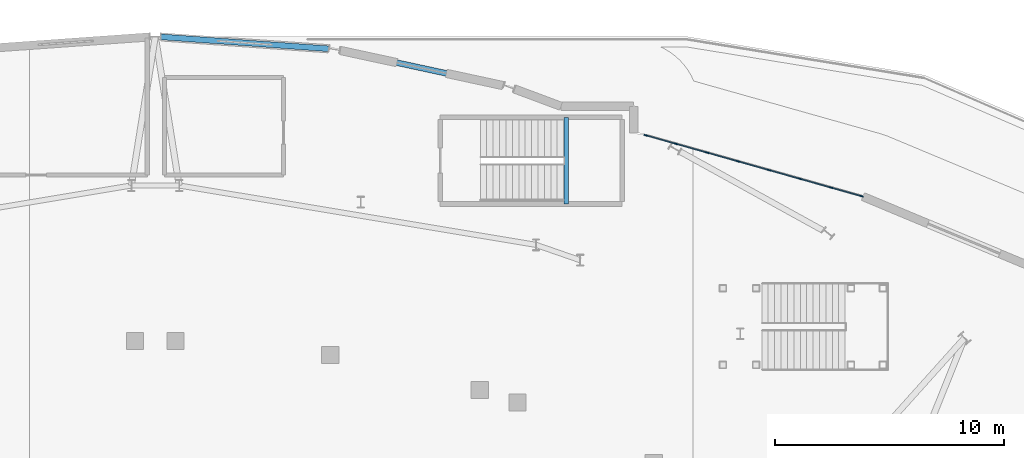
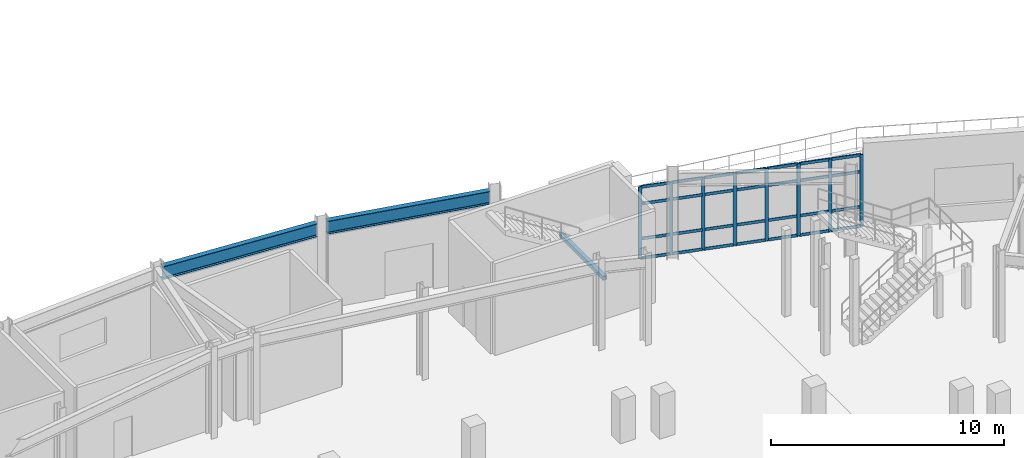
# One storey, part 45 of 84: 36 members, 3 beams, 1 element without a shape of its own.
"""IFC4 building model written with IfcOpenShell, lengths in metres."""

from ifc_helpers import new_model, si_unit, direction, frame, origin, origin_2d, place, context, subcontext, project, spatial, rectangle, hollow_rectangle, i_section, extrude, material, material_profile, profile_set, type_object, element, aggregate, save


model = new_model("IFC4")

# Units and contexts
model_context = context("Model", 3, precision=1e-05, world=origin(), true_north=direction((0.0, 1.0)))
body_context = subcontext(model_context, "Body", "Model", "MODEL_VIEW")
ifc_project = project(units=[si_unit("LENGTHUNIT", "METRE"), si_unit("AREAUNIT", "SQUARE_METRE"), si_unit("VOLUMEUNIT", "CUBIC_METRE"), si_unit("PLANEANGLEUNIT", "RADIAN"), si_unit("MASSUNIT", "GRAM", prefix="KILO")], contexts=[model_context])

# Site, building, storey
site_placement = place(None, origin())
site = spatial("IfcSite", under=ifc_project, at=site_placement, CompositionType="ELEMENT")
building_placement = place(site_placement, origin())
building = spatial("IfcBuilding", under=site, at=building_placement, Name="Glasvene Arena", CompositionType="ELEMENT")
storey_placement = place(building_placement, frame((0.0, 0.0, 10.199951171875)))
storey = spatial("IfcBuildingStorey", under=building, at=storey_placement, Name="L02", CompositionType="ELEMENT", Elevation=10.199951171875)

# Beams
ifc_material_1 = material(Name="Steel S355J2", Category="steel")
ifc_material_profile_1 = material_profile(ifc_material_1, i_section(OverallWidth=0.253662109375, OverallDepth=0.68359375, WebThickness=0.012451171875, FlangeThickness=0.01904296875, FilletRadius=0.01513671875, at=origin_2d()), Name="UKB 686x254x140")
ifc_profile_set_1 = profile_set([ifc_material_profile_1], Name="Steel S355J2")
beam_type_1 = type_object("IfcBeamType", Name="BM-GIRD-686", PredefinedType="BEAM", material=ifc_profile_set_1)
beam_1_placement = place(storey_placement, frame((107.21630859375, 115.84814453125, 4.178466796875), z_axis=(-0.97744150895, 0.211206289161, 0.0), x_axis=(-0.211206289161, -0.97744150895, 0.0)))
element("IfcBeam", 1, at=beam_1_placement, inside=storey, type_object=beam_type_1, Name="Bowl ring chord beam L02-09", PredefinedType="BEAM", context=body_context, shape_type="SweptSolid", body=[
    extrude(i_section(OverallWidth=0.253662109375, OverallDepth=0.68359375, WebThickness=0.012451171875, FlangeThickness=0.01904296875, FilletRadius=0.01513671875, at=origin_2d()), origin(), (0.0, 0.0, 1.0), 7.3251953125),
])
beam_2_placement = place(storey_placement, frame((99.582275390625, 117.462890625, 4.178466796875), z_axis=(-0.997501616337, 0.070643650844, 0.0), x_axis=(-0.070643650844, -0.997501616337, 0.0)))
element("IfcBeam", 2, at=beam_2_placement, inside=storey, type_object=beam_type_1, Name="Bowl ring chord beam L02-10", PredefinedType="BEAM", context=body_context, shape_type="SweptSolid", body=[
    extrude(i_section(OverallWidth=0.253662109375, OverallDepth=0.68359375, WebThickness=0.012451171875, FlangeThickness=0.01904296875, FilletRadius=0.01513671875, at=origin_2d()), origin(), (0.0, 0.0, 1.0), 7.361083984375),
])
ifc_material_profile_2 = material_profile(ifc_material_1, hollow_rectangle(XDim=0.199951171875, YDim=0.199951171875, WallThickness=0.010009765625, at=origin_2d()), Name="SHS 200x200x10.0")
ifc_profile_set_2 = profile_set([ifc_material_profile_2], Name="Steel S355J2")
beam_type_2 = type_object("IfcBeamType", Name="BM-LINTEL-200", PredefinedType="LINTEL", material=ifc_profile_set_2)
beam_3_placement = place(storey_placement, frame((109.9599609375, 110.679931640625, 2.080078125), z_axis=(0.0, 1.0, 0.0), x_axis=(-1.0, 0.0, 0.0)))
element("IfcBeam", 3, at=beam_3_placement, inside=storey, type_object=beam_type_2, Name="Stair half-landing support beam ST-11-L02", PredefinedType="LINTEL", context=body_context, shape_type="SweptSolid", body=[
    extrude(hollow_rectangle(XDim=0.199951171875, YDim=0.199951171875, WallThickness=0.010009765625, at=origin_2d()), origin(), (0.0, 0.0, 1.0), 3.7900390625),
])

# Curtain wall, members
ifc_material_2 = material(Name="Low-emissivity laminated double glazing", Category="glass")
curtain_wall_type = type_object("IfcCurtainWallType", Name="CW-FAC-L02-985x377", PredefinedType="USERDEFINED", material=ifc_material_2)
curtain_wall_placement = place(storey_placement, frame((113.402587890625, 113.69140625, 0.0)))
curtain_wall = element("IfcCurtainWall", 4, at=curtain_wall_placement, inside=storey, type_object=curtain_wall_type, Name="Unitised curtain wall CW-F-L02-150-1181-1124-28", ObjectType="CURTAIN WALL", PredefinedType="USERDEFINED")
ifc_material_3 = material(Name="Anodised architectural aluminium", Category="aluminium")
ifc_material_profile_3 = material_profile(ifc_material_3, rectangle(XDim=0.050048828125, YDim=0.159912109375, at=origin_2d()), Name="ALU MULLION 50x160")
ifc_profile_set_3 = profile_set([ifc_material_profile_3], Name="Anodised architectural aluminium")
member_type_1 = type_object("IfcMemberType", Name="CW-MUL-150", PredefinedType="MULLION", material=ifc_profile_set_3)
member_1_placement = place(storey_placement, frame((113.4267578125, 113.684814453125, 0.06005859375), z_axis=(0.0, 0.0, 1.0), x_axis=(0.271597167979, 0.962411023599, 0.0)))
member_1 = element("IfcMember", 5, at=member_1_placement, type_object=member_type_1, Name="CW-023 mullion 1", PredefinedType="MULLION", context=body_context, shape_type="SweptSolid", body=[
    extrude(rectangle(XDim=0.050048828125, YDim=0.159912109375, at=origin_2d()), origin(), (0.0, 0.0, 1.0), 3.77197265625),
])
member_2_placement = place(storey_placement, frame((114.756591796875, 113.309326171875, 0.06005859375), z_axis=(0.0, 0.0, 1.0), x_axis=(0.271597167979, 0.962411023599, 0.0)))
member_2 = element("IfcMember", 6, at=member_2_placement, type_object=member_type_1, Name="CW-023 mullion 2", PredefinedType="MULLION", context=body_context, shape_type="SweptSolid", body=[
    extrude(rectangle(XDim=0.050048828125, YDim=0.159912109375, at=origin_2d()), origin(), (0.0, 0.0, 1.0), 3.77197265625),
])
member_3_placement = place(storey_placement, frame((116.1103515625, 112.927490234375, 0.06005859375), z_axis=(0.0, 0.0, 1.0), x_axis=(0.271597167979, 0.962411023599, 0.0)))
member_3 = element("IfcMember", 7, at=member_3_placement, type_object=member_type_1, Name="CW-023 mullion 3", PredefinedType="MULLION", context=body_context, shape_type="SweptSolid", body=[
    extrude(rectangle(XDim=0.050048828125, YDim=0.159912109375, at=origin_2d()), origin(), (0.0, 0.0, 1.0), 3.77197265625),
])
member_4_placement = place(storey_placement, frame((117.464111328125, 112.54541015625, 0.06005859375), z_axis=(0.0, 0.0, 1.0), x_axis=(0.271597167979, 0.962411023599, 0.0)))
member_4 = element("IfcMember", 8, at=member_4_placement, type_object=member_type_1, Name="CW-023 mullion 4", PredefinedType="MULLION", context=body_context, shape_type="SweptSolid", body=[
    extrude(rectangle(XDim=0.050048828125, YDim=0.159912109375, at=origin_2d()), origin(), (0.0, 0.0, 1.0), 3.77197265625),
])
member_5_placement = place(storey_placement, frame((118.818115234375, 112.163330078125, 0.06005859375), z_axis=(0.0, 0.0, 1.0), x_axis=(0.271597167979, 0.962411023599, 0.0)))
member_5 = element("IfcMember", 9, at=member_5_placement, type_object=member_type_1, Name="CW-023 mullion 5", PredefinedType="MULLION", context=body_context, shape_type="SweptSolid", body=[
    extrude(rectangle(XDim=0.050048828125, YDim=0.159912109375, at=origin_2d()), origin(), (0.0, 0.0, 1.0), 3.77197265625),
])
member_6_placement = place(storey_placement, frame((120.171875, 111.78125, 0.06005859375), z_axis=(0.0, 0.0, 1.0), x_axis=(0.271597167979, 0.962411023599, 0.0)))
member_6 = element("IfcMember", 10, at=member_6_placement, type_object=member_type_1, Name="CW-023 mullion 6", PredefinedType="MULLION", context=body_context, shape_type="SweptSolid", body=[
    extrude(rectangle(XDim=0.050048828125, YDim=0.159912109375, at=origin_2d()), origin(), (0.0, 0.0, 1.0), 3.77197265625),
])
member_7_placement = place(storey_placement, frame((121.525634765625, 111.399169921875, 0.06005859375), z_axis=(0.0, 0.0, 1.0), x_axis=(0.271597167979, 0.962411023599, 0.0)))
member_7 = element("IfcMember", 11, at=member_7_placement, type_object=member_type_1, Name="CW-023 mullion 7", PredefinedType="MULLION", context=body_context, shape_type="SweptSolid", body=[
    extrude(rectangle(XDim=0.050048828125, YDim=0.159912109375, at=origin_2d()), origin(), (0.0, 0.0, 1.0), 3.77197265625),
])
member_8_placement = place(storey_placement, frame((122.85546875, 111.02392578125, 0.06005859375), z_axis=(0.0, 0.0, 1.0), x_axis=(0.271597167979, 0.962411023599, 0.0)))
member_8 = element("IfcMember", 12, at=member_8_placement, type_object=member_type_1, Name="CW-023 mullion 8", PredefinedType="MULLION", context=body_context, shape_type="SweptSolid", body=[
    extrude(rectangle(XDim=0.050048828125, YDim=0.159912109375, at=origin_2d()), origin(), (0.0, 0.0, 1.0), 3.77197265625),
])
ifc_material_profile_4 = material_profile(ifc_material_3, rectangle(XDim=0.050048828125, YDim=0.14990234375, at=origin_2d()), Name="ALU TRANSOM 50x150")
ifc_profile_set_4 = profile_set([ifc_material_profile_4], Name="Anodised architectural aluminium")
member_type_2 = type_object("IfcMemberType", Name="CW-TRN-150", PredefinedType="USERDEFINED", material=ifc_profile_set_4)
member_9_placement = place(storey_placement, frame((113.450927734375, 113.677978515625, 0.0849609375), z_axis=(0.962377174692, -0.271717083805, 0.0), x_axis=(0.271717083805, 0.962377174692, 0.0)))
member_9 = element("IfcMember", 13, at=member_9_placement, type_object=member_type_2, Name="CW-023 transom 1.1", ObjectType="TRANSOM", PredefinedType="USERDEFINED", context=body_context, shape_type="SweptSolid", body=[
    extrude(rectangle(XDim=0.050048828125, YDim=0.14990234375, at=origin_2d()), origin(), (0.0, 0.0, 1.0), 1.33154296875),
])
member_10_placement = place(storey_placement, frame((113.450927734375, 113.677978515625, 1.10009765625), z_axis=(0.962377174692, -0.271717083805, 0.0), x_axis=(0.271717083805, 0.962377174692, 0.0)))
member_10 = element("IfcMember", 14, at=member_10_placement, type_object=member_type_2, Name="CW-023 transom 1.2", ObjectType="TRANSOM", PredefinedType="USERDEFINED", context=body_context, shape_type="SweptSolid", body=[
    extrude(rectangle(XDim=0.050048828125, YDim=0.14990234375, at=origin_2d()), origin(), (0.0, 0.0, 1.0), 1.33154296875),
])
member_11_placement = place(storey_placement, frame((113.450927734375, 113.677978515625, 2.93212890625), z_axis=(0.962377174692, -0.271717083805, 0.0), x_axis=(0.271717083805, 0.962377174692, 0.0)))
member_11 = element("IfcMember", 15, at=member_11_placement, type_object=member_type_2, Name="CW-023 transom 1.3", ObjectType="TRANSOM", PredefinedType="USERDEFINED", context=body_context, shape_type="SweptSolid", body=[
    extrude(rectangle(XDim=0.050048828125, YDim=0.14990234375, at=origin_2d()), origin(), (0.0, 0.0, 1.0), 1.33154296875),
])
member_12_placement = place(storey_placement, frame((113.450927734375, 113.677978515625, 3.80712890625), z_axis=(0.962377174692, -0.271717083805, 0.0), x_axis=(0.271717083805, 0.962377174692, 0.0)))
member_12 = element("IfcMember", 16, at=member_12_placement, type_object=member_type_2, Name="CW-023 transom 1.4", ObjectType="TRANSOM", PredefinedType="USERDEFINED", context=body_context, shape_type="SweptSolid", body=[
    extrude(rectangle(XDim=0.050048828125, YDim=0.14990234375, at=origin_2d()), origin(), (0.0, 0.0, 1.0), 1.33154296875),
])
member_13_placement = place(storey_placement, frame((114.780517578125, 113.302734375, 0.0849609375), z_axis=(0.96237489761, -0.271725148727, 0.0), x_axis=(0.271725148727, 0.96237489761, 0.0)))
member_13 = element("IfcMember", 17, at=member_13_placement, type_object=member_type_2, Name="CW-023 transom 2.1", ObjectType="TRANSOM", PredefinedType="USERDEFINED", context=body_context, shape_type="SweptSolid", body=[
    extrude(rectangle(XDim=0.050048828125, YDim=0.14990234375, at=origin_2d()), origin(), (0.0, 0.0, 1.0), 1.356689453125),
])
member_14_placement = place(storey_placement, frame((114.780517578125, 113.302734375, 1.10009765625), z_axis=(0.96237489761, -0.271725148727, 0.0), x_axis=(0.271725148727, 0.96237489761, 0.0)))
member_14 = element("IfcMember", 18, at=member_14_placement, type_object=member_type_2, Name="CW-023 transom 2.2", ObjectType="TRANSOM", PredefinedType="USERDEFINED", context=body_context, shape_type="SweptSolid", body=[
    extrude(rectangle(XDim=0.050048828125, YDim=0.14990234375, at=origin_2d()), origin(), (0.0, 0.0, 1.0), 1.356689453125),
])
member_15_placement = place(storey_placement, frame((114.780517578125, 113.302734375, 2.93212890625), z_axis=(0.96237489761, -0.271725148727, 0.0), x_axis=(0.271725148727, 0.96237489761, 0.0)))
member_15 = element("IfcMember", 19, at=member_15_placement, type_object=member_type_2, Name="CW-023 transom 2.3", ObjectType="TRANSOM", PredefinedType="USERDEFINED", context=body_context, shape_type="SweptSolid", body=[
    extrude(rectangle(XDim=0.050048828125, YDim=0.14990234375, at=origin_2d()), origin(), (0.0, 0.0, 1.0), 1.356689453125),
])
member_16_placement = place(storey_placement, frame((114.780517578125, 113.302734375, 3.80712890625), z_axis=(0.96237489761, -0.271725148727, 0.0), x_axis=(0.271725148727, 0.96237489761, 0.0)))
member_16 = element("IfcMember", 20, at=member_16_placement, type_object=member_type_2, Name="CW-023 transom 2.4", ObjectType="TRANSOM", PredefinedType="USERDEFINED", context=body_context, shape_type="SweptSolid", body=[
    extrude(rectangle(XDim=0.050048828125, YDim=0.14990234375, at=origin_2d()), origin(), (0.0, 0.0, 1.0), 1.356689453125),
])
member_17_placement = place(storey_placement, frame((116.134521484375, 112.920654296875, 0.0849609375), z_axis=(0.96237489761, -0.271725148727, 0.0), x_axis=(0.271725148727, 0.96237489761, 0.0)))
member_17 = element("IfcMember", 21, at=member_17_placement, type_object=member_type_2, Name="CW-023 transom 3.1", ObjectType="TRANSOM", PredefinedType="USERDEFINED", context=body_context, shape_type="SweptSolid", body=[
    extrude(rectangle(XDim=0.050048828125, YDim=0.14990234375, at=origin_2d()), origin(), (0.0, 0.0, 1.0), 1.356689453125),
])
member_18_placement = place(storey_placement, frame((116.134521484375, 112.920654296875, 1.10009765625), z_axis=(0.96237489761, -0.271725148727, 0.0), x_axis=(0.271725148727, 0.96237489761, 0.0)))
member_18 = element("IfcMember", 22, at=member_18_placement, type_object=member_type_2, Name="CW-023 transom 3.2", ObjectType="TRANSOM", PredefinedType="USERDEFINED", context=body_context, shape_type="SweptSolid", body=[
    extrude(rectangle(XDim=0.050048828125, YDim=0.14990234375, at=origin_2d()), origin(), (0.0, 0.0, 1.0), 1.356689453125),
])
member_19_placement = place(storey_placement, frame((116.134521484375, 112.920654296875, 2.93212890625), z_axis=(0.96237489761, -0.271725148727, 0.0), x_axis=(0.271725148727, 0.96237489761, 0.0)))
member_19 = element("IfcMember", 23, at=member_19_placement, type_object=member_type_2, Name="CW-023 transom 3.3", ObjectType="TRANSOM", PredefinedType="USERDEFINED", context=body_context, shape_type="SweptSolid", body=[
    extrude(rectangle(XDim=0.050048828125, YDim=0.14990234375, at=origin_2d()), origin(), (0.0, 0.0, 1.0), 1.356689453125),
])
member_20_placement = place(storey_placement, frame((116.134521484375, 112.920654296875, 3.80712890625), z_axis=(0.96237489761, -0.271725148727, 0.0), x_axis=(0.271725148727, 0.96237489761, 0.0)))
member_20 = element("IfcMember", 24, at=member_20_placement, type_object=member_type_2, Name="CW-023 transom 3.4", ObjectType="TRANSOM", PredefinedType="USERDEFINED", context=body_context, shape_type="SweptSolid", body=[
    extrude(rectangle(XDim=0.050048828125, YDim=0.14990234375, at=origin_2d()), origin(), (0.0, 0.0, 1.0), 1.356689453125),
])
member_21_placement = place(storey_placement, frame((117.48828125, 112.53857421875, 0.0849609375), z_axis=(0.962421942778, -0.271558472635, 0.0), x_axis=(0.271558472635, 0.962421942778, 0.0)))
member_21 = element("IfcMember", 25, at=member_21_placement, type_object=member_type_2, Name="CW-023 transom 4.1", ObjectType="TRANSOM", PredefinedType="USERDEFINED", context=body_context, shape_type="SweptSolid", body=[
    extrude(rectangle(XDim=0.050048828125, YDim=0.14990234375, at=origin_2d()), origin(), (0.0, 0.0, 1.0), 1.356689453125),
])
member_22_placement = place(storey_placement, frame((117.48828125, 112.53857421875, 1.10009765625), z_axis=(0.962421942778, -0.271558472635, 0.0), x_axis=(0.271558472635, 0.962421942778, 0.0)))
member_22 = element("IfcMember", 26, at=member_22_placement, type_object=member_type_2, Name="CW-023 transom 4.2", ObjectType="TRANSOM", PredefinedType="USERDEFINED", context=body_context, shape_type="SweptSolid", body=[
    extrude(rectangle(XDim=0.050048828125, YDim=0.14990234375, at=origin_2d()), origin(), (0.0, 0.0, 1.0), 1.356689453125),
])
member_23_placement = place(storey_placement, frame((117.48828125, 112.53857421875, 2.93212890625), z_axis=(0.962421942778, -0.271558472635, 0.0), x_axis=(0.271558472635, 0.962421942778, 0.0)))
member_23 = element("IfcMember", 27, at=member_23_placement, type_object=member_type_2, Name="CW-023 transom 4.3", ObjectType="TRANSOM", PredefinedType="USERDEFINED", context=body_context, shape_type="SweptSolid", body=[
    extrude(rectangle(XDim=0.050048828125, YDim=0.14990234375, at=origin_2d()), origin(), (0.0, 0.0, 1.0), 1.356689453125),
])
member_24_placement = place(storey_placement, frame((117.48828125, 112.53857421875, 3.80712890625), z_axis=(0.962421942778, -0.271558472635, 0.0), x_axis=(0.271558472635, 0.962421942778, 0.0)))
member_24 = element("IfcMember", 28, at=member_24_placement, type_object=member_type_2, Name="CW-023 transom 4.4", ObjectType="TRANSOM", PredefinedType="USERDEFINED", context=body_context, shape_type="SweptSolid", body=[
    extrude(rectangle(XDim=0.050048828125, YDim=0.14990234375, at=origin_2d()), origin(), (0.0, 0.0, 1.0), 1.356689453125),
])
member_25_placement = place(storey_placement, frame((118.842041015625, 112.156494140625, 0.0849609375), z_axis=(0.962421942778, -0.271558472635, 0.0), x_axis=(0.271558472635, 0.962421942778, 0.0)))
member_25 = element("IfcMember", 29, at=member_25_placement, type_object=member_type_2, Name="CW-023 transom 5.1", ObjectType="TRANSOM", PredefinedType="USERDEFINED", context=body_context, shape_type="SweptSolid", body=[
    extrude(rectangle(XDim=0.050048828125, YDim=0.14990234375, at=origin_2d()), origin(), (0.0, 0.0, 1.0), 1.356689453125),
])
member_26_placement = place(storey_placement, frame((118.842041015625, 112.156494140625, 1.10009765625), z_axis=(0.962421942778, -0.271558472635, 0.0), x_axis=(0.271558472635, 0.962421942778, 0.0)))
member_26 = element("IfcMember", 30, at=member_26_placement, type_object=member_type_2, Name="CW-023 transom 5.2", ObjectType="TRANSOM", PredefinedType="USERDEFINED", context=body_context, shape_type="SweptSolid", body=[
    extrude(rectangle(XDim=0.050048828125, YDim=0.14990234375, at=origin_2d()), origin(), (0.0, 0.0, 1.0), 1.356689453125),
])
member_27_placement = place(storey_placement, frame((118.842041015625, 112.156494140625, 2.93212890625), z_axis=(0.962421942778, -0.271558472635, 0.0), x_axis=(0.271558472635, 0.962421942778, 0.0)))
member_27 = element("IfcMember", 31, at=member_27_placement, type_object=member_type_2, Name="CW-023 transom 5.3", ObjectType="TRANSOM", PredefinedType="USERDEFINED", context=body_context, shape_type="SweptSolid", body=[
    extrude(rectangle(XDim=0.050048828125, YDim=0.14990234375, at=origin_2d()), origin(), (0.0, 0.0, 1.0), 1.356689453125),
])
member_28_placement = place(storey_placement, frame((118.842041015625, 112.156494140625, 3.80712890625), z_axis=(0.962421942778, -0.271558472635, 0.0), x_axis=(0.271558472635, 0.962421942778, 0.0)))
member_28 = element("IfcMember", 32, at=member_28_placement, type_object=member_type_2, Name="CW-023 transom 5.4", ObjectType="TRANSOM", PredefinedType="USERDEFINED", context=body_context, shape_type="SweptSolid", body=[
    extrude(rectangle(XDim=0.050048828125, YDim=0.14990234375, at=origin_2d()), origin(), (0.0, 0.0, 1.0), 1.356689453125),
])
member_29_placement = place(storey_placement, frame((120.19580078125, 111.7744140625, 0.0849609375), z_axis=(0.962435210245, -0.271511447422, 0.0), x_axis=(0.271511447422, 0.962435210245, 0.0)))
member_29 = element("IfcMember", 33, at=member_29_placement, type_object=member_type_2, Name="CW-023 transom 6.1", ObjectType="TRANSOM", PredefinedType="USERDEFINED", context=body_context, shape_type="SweptSolid", body=[
    extrude(rectangle(XDim=0.050048828125, YDim=0.14990234375, at=origin_2d()), origin(), (0.0, 0.0, 1.0), 1.35693359375),
])
member_30_placement = place(storey_placement, frame((120.19580078125, 111.7744140625, 1.10009765625), z_axis=(0.962435210245, -0.271511447422, 0.0), x_axis=(0.271511447422, 0.962435210245, 0.0)))
member_30 = element("IfcMember", 34, at=member_30_placement, type_object=member_type_2, Name="CW-023 transom 6.2", ObjectType="TRANSOM", PredefinedType="USERDEFINED", context=body_context, shape_type="SweptSolid", body=[
    extrude(rectangle(XDim=0.050048828125, YDim=0.14990234375, at=origin_2d()), origin(), (0.0, 0.0, 1.0), 1.35693359375),
])
member_31_placement = place(storey_placement, frame((120.19580078125, 111.7744140625, 2.93212890625), z_axis=(0.962435210245, -0.271511447422, 0.0), x_axis=(0.271511447422, 0.962435210245, 0.0)))
member_31 = element("IfcMember", 35, at=member_31_placement, type_object=member_type_2, Name="CW-023 transom 6.3", ObjectType="TRANSOM", PredefinedType="USERDEFINED", context=body_context, shape_type="SweptSolid", body=[
    extrude(rectangle(XDim=0.050048828125, YDim=0.14990234375, at=origin_2d()), origin(), (0.0, 0.0, 1.0), 1.35693359375),
])
member_32_placement = place(storey_placement, frame((120.19580078125, 111.7744140625, 3.80712890625), z_axis=(0.962435210245, -0.271511447422, 0.0), x_axis=(0.271511447422, 0.962435210245, 0.0)))
member_32 = element("IfcMember", 36, at=member_32_placement, type_object=member_type_2, Name="CW-023 transom 6.4", ObjectType="TRANSOM", PredefinedType="USERDEFINED", context=body_context, shape_type="SweptSolid", body=[
    extrude(rectangle(XDim=0.050048828125, YDim=0.14990234375, at=origin_2d()), origin(), (0.0, 0.0, 1.0), 1.35693359375),
])
member_33_placement = place(storey_placement, frame((121.5498046875, 111.392333984375, 0.0849609375), z_axis=(0.962425105737, -0.27154726264, 0.0), x_axis=(0.27154726264, 0.962425105737, 0.0)))
member_33 = element("IfcMember", 37, at=member_33_placement, type_object=member_type_2, Name="CW-023 transom 7.1", ObjectType="TRANSOM", PredefinedType="USERDEFINED", context=body_context, shape_type="SweptSolid", body=[
    extrude(rectangle(XDim=0.050048828125, YDim=0.14990234375, at=origin_2d()), origin(), (0.0, 0.0, 1.0), 1.33154296875),
])
member_34_placement = place(storey_placement, frame((121.5498046875, 111.392333984375, 1.10009765625), z_axis=(0.962425105737, -0.27154726264, 0.0), x_axis=(0.27154726264, 0.962425105737, 0.0)))
member_34 = element("IfcMember", 38, at=member_34_placement, type_object=member_type_2, Name="CW-023 transom 7.2", ObjectType="TRANSOM", PredefinedType="USERDEFINED", context=body_context, shape_type="SweptSolid", body=[
    extrude(rectangle(XDim=0.050048828125, YDim=0.14990234375, at=origin_2d()), origin(), (0.0, 0.0, 1.0), 1.33154296875),
])
member_35_placement = place(storey_placement, frame((121.5498046875, 111.392333984375, 2.93212890625), z_axis=(0.962425105737, -0.27154726264, 0.0), x_axis=(0.27154726264, 0.962425105737, 0.0)))
member_35 = element("IfcMember", 39, at=member_35_placement, type_object=member_type_2, Name="CW-023 transom 7.3", ObjectType="TRANSOM", PredefinedType="USERDEFINED", context=body_context, shape_type="SweptSolid", body=[
    extrude(rectangle(XDim=0.050048828125, YDim=0.14990234375, at=origin_2d()), origin(), (0.0, 0.0, 1.0), 1.33154296875),
])
member_36_placement = place(storey_placement, frame((121.5498046875, 111.392333984375, 3.80712890625), z_axis=(0.962425105737, -0.27154726264, 0.0), x_axis=(0.27154726264, 0.962425105737, 0.0)))
member_36 = element("IfcMember", 40, at=member_36_placement, type_object=member_type_2, Name="CW-023 transom 7.4", ObjectType="TRANSOM", PredefinedType="USERDEFINED", context=body_context, shape_type="SweptSolid", body=[
    extrude(rectangle(XDim=0.050048828125, YDim=0.14990234375, at=origin_2d()), origin(), (0.0, 0.0, 1.0), 1.33154296875),
])
aggregate(curtain_wall, [member_1, member_2, member_3, member_4, member_5, member_6, member_7, member_8, member_9, member_10, member_11, member_12, member_13, member_14, member_15, member_16, member_17, member_18, member_19, member_20, member_21, member_22, member_23, member_24, member_25, member_26, member_27, member_28, member_29, member_30, member_31, member_32, member_33, member_34, member_35, member_36])

save(model, "model.ifc")
